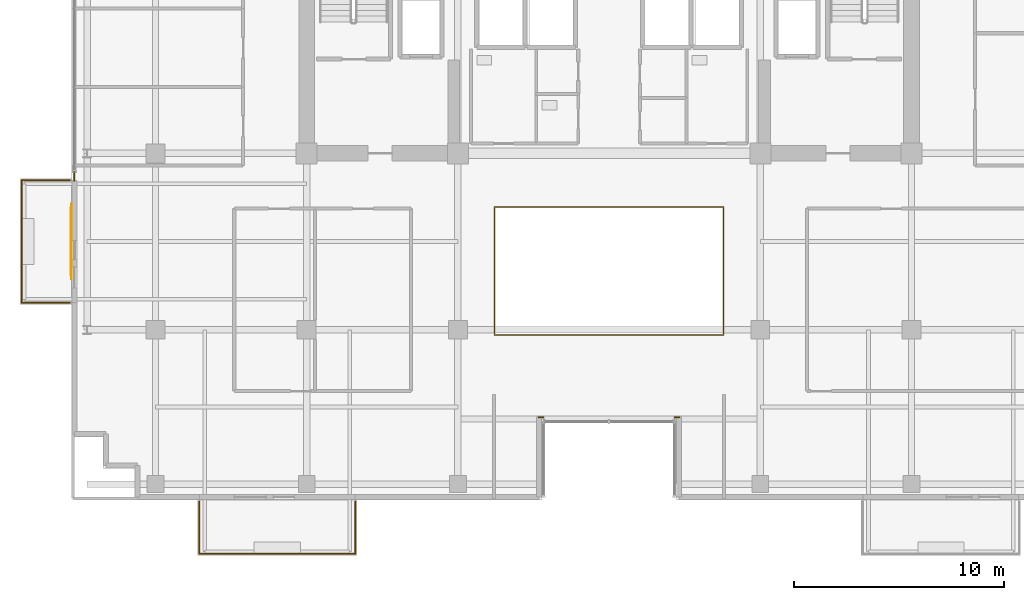
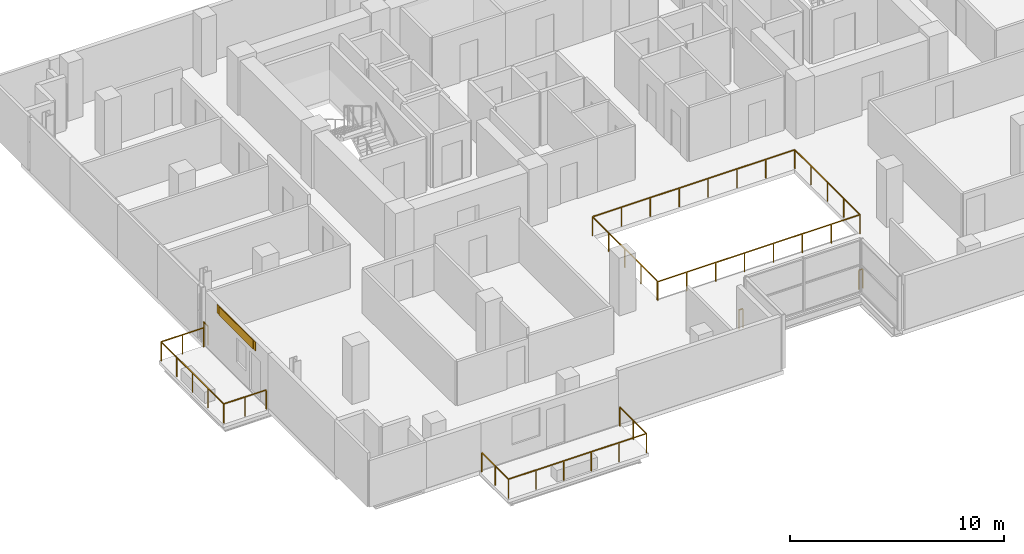
# One storey, part 19 of 23: 6 railings, 1 covering, 1 shading device.
"""IFC4 building model written with IfcOpenShell, lengths in metres."""

from ifc_helpers import new_model, si_unit, direction, frame, origin, origin_2d, place, context, subcontext, project, spatial, rectangle, extrude, source, transform, mapped, material, layer, layer_set, type_object, element, save


model = new_model("IFC4")

# Units and contexts
model_context = context("Model", 3, precision=1e-05, world=origin(), true_north=direction((0.0, 1.0)))
body_context = subcontext(model_context, "Body", "Model", "MODEL_VIEW")
ifc_project = project(units=[si_unit("LENGTHUNIT", "METRE"), si_unit("AREAUNIT", "SQUARE_METRE"), si_unit("VOLUMEUNIT", "CUBIC_METRE"), si_unit("PLANEANGLEUNIT", "RADIAN"), si_unit("MASSUNIT", "GRAM", prefix="KILO")], contexts=[model_context])

# Site, building, storey
site_placement = place(None, origin())
site = spatial("IfcSite", under=ifc_project, at=site_placement, CompositionType="ELEMENT")
building_placement = place(site_placement, origin())
building = spatial("IfcBuilding", under=site, at=building_placement, Name="Zarnakvel Exchange Tower", CompositionType="ELEMENT")
storey_placement = place(building_placement, frame((0.0, 0.0, 116.5)))
storey = spatial("IfcBuildingStorey", under=building, at=storey_placement, Name="L32", CompositionType="ELEMENT", Elevation=116.5)

# Railings
ifc_material_1 = material(Name="Architectural Bronze Anodised Aluminium", Category="aluminium")
railing_type_1 = type_object("IfcRailingType", Name="GR-02", PredefinedType="GUARDRAIL", material=ifc_material_1)
railing_1_placement = place(storey_placement, frame((-19.52001953125, -17.780029296875, -0.034912109375)))
element("IfcRailing", 1, at=railing_1_placement, inside=storey, type_object=railing_type_1, Name="L32 Balcony Guardrail BAL-L32-SW", PredefinedType="GUARDRAIL", context=body_context, shape_type="SweptSolid", body=[
    extrude(rectangle(XDim=0.048095703125, YDim=0.048095703125, at=origin_2d()), frame((0.0, 0.0, 1.09619140625), z_axis=(0.0, -1.0, 0.0), x_axis=(1.0, 0.0, 0.0)), (0.0, 0.0, 1.0), 2.489990234375),
    extrude(rectangle(XDim=0.048095703125, YDim=0.048095703125, at=origin_2d()), frame((0.0, -2.489990234375, 1.09619140625), z_axis=(1.0, 0.0, 0.0), x_axis=(0.0, 1.0, 0.0)), (0.0, 0.0, 1.0), 7.43994140625),
    extrude(rectangle(XDim=0.048095703125, YDim=0.048095703125, at=origin_2d()), frame((7.43994140625, -2.489990234375, 1.09619140625), z_axis=(0.0, 1.0, 0.0), x_axis=(-1.0, 0.0, 0.0)), (0.0, 0.0, 1.0), 2.489990234375),
    extrude(rectangle(XDim=0.0419921875, YDim=0.0419921875, at=origin_2d()), origin(), (0.0, 0.0, 1.0), 1.072021484375),
    extrude(rectangle(XDim=0.0419921875, YDim=0.0419921875, at=origin_2d()), frame((0.0, -1.2451171875, 0.0)), (0.0, 0.0, 1.0), 1.072021484375),
    extrude(rectangle(XDim=0.0419921875, YDim=0.0419921875, at=origin_2d()), frame((0.0, -2.489990234375, 0.0)), (0.0, 0.0, 1.0), 1.072021484375),
    extrude(rectangle(XDim=0.0419921875, YDim=0.0419921875, at=origin_2d()), frame((1.488037109375, -2.489990234375, 0.0)), (0.0, 0.0, 1.0), 1.072021484375),
    extrude(rectangle(XDim=0.0419921875, YDim=0.0419921875, at=origin_2d()), frame((2.97607421875, -2.489990234375, 0.0)), (0.0, 0.0, 1.0), 1.072021484375),
    extrude(rectangle(XDim=0.0419921875, YDim=0.0419921875, at=origin_2d()), frame((4.4638671875, -2.489990234375, 0.0)), (0.0, 0.0, 1.0), 1.072021484375),
    extrude(rectangle(XDim=0.0419921875, YDim=0.0419921875, at=origin_2d()), frame((5.951904296875, -2.489990234375, 0.0)), (0.0, 0.0, 1.0), 1.072021484375),
    extrude(rectangle(XDim=0.0419921875, YDim=0.0419921875, at=origin_2d()), frame((7.43994140625, -2.489990234375, 0.0)), (0.0, 0.0, 1.0), 1.072021484375),
    extrude(rectangle(XDim=0.0419921875, YDim=0.0419921875, at=origin_2d()), frame((7.43994140625, -1.2451171875, 0.0)), (0.0, 0.0, 1.0), 1.072021484375),
    extrude(rectangle(XDim=0.0419921875, YDim=0.0419921875, at=origin_2d()), frame((7.43994140625, 0.0, 0.0)), (0.0, 0.0, 1.0), 1.072021484375),
])
railing_2_placement = place(storey_placement, frame((-25.679931640625, -8.320068359375, -0.034912109375)))
element("IfcRailing", 2, at=railing_2_placement, inside=storey, type_object=railing_type_1, Name="L32 Balcony Guardrail BAL-L32-W", PredefinedType="GUARDRAIL", context=body_context, shape_type="SweptSolid", body=[
    extrude(rectangle(XDim=0.048095703125, YDim=0.048095703125, at=origin_2d()), frame((0.0, 0.0, 1.09619140625), z_axis=(-1.0, 0.0, 0.0), x_axis=(0.0, -1.0, 0.0)), (0.0, 0.0, 1.0), 2.2900390625),
    extrude(rectangle(XDim=0.048095703125, YDim=0.048095703125, at=origin_2d()), frame((-2.2900390625, 0.0, 1.09619140625), z_axis=(0.0, 1.0, 0.0), x_axis=(-1.0, 0.0, 0.0)), (0.0, 0.0, 1.0), 5.840087890625),
    extrude(rectangle(XDim=0.048095703125, YDim=0.048095703125, at=origin_2d()), frame((-2.2900390625, 5.840087890625, 1.09619140625), z_axis=(1.0, 0.0, 0.0), x_axis=(0.0, 1.0, 0.0)), (0.0, 0.0, 1.0), 2.2900390625),
    extrude(rectangle(XDim=0.0419921875, YDim=0.0419921875, at=origin_2d()), origin(), (0.0, 0.0, 1.0), 1.072021484375),
    extrude(rectangle(XDim=0.0419921875, YDim=0.0419921875, at=origin_2d()), frame((-1.14501953125, 0.0, 0.0)), (0.0, 0.0, 1.0), 1.072021484375),
    extrude(rectangle(XDim=0.0419921875, YDim=0.0419921875, at=origin_2d()), frame((-2.2900390625, 0.0, 0.0)), (0.0, 0.0, 1.0), 1.072021484375),
    extrude(rectangle(XDim=0.0419921875, YDim=0.0419921875, at=origin_2d()), frame((-2.2900390625, 1.4599609375, 0.0)), (0.0, 0.0, 1.0), 1.072021484375),
    extrude(rectangle(XDim=0.0419921875, YDim=0.0419921875, at=origin_2d()), frame((-2.2900390625, 2.919921875, 0.0)), (0.0, 0.0, 1.0), 1.072021484375),
    extrude(rectangle(XDim=0.0419921875, YDim=0.0419921875, at=origin_2d()), frame((-2.2900390625, 4.380126953125, 0.0)), (0.0, 0.0, 1.0), 1.072021484375),
    extrude(rectangle(XDim=0.0419921875, YDim=0.0419921875, at=origin_2d()), frame((-2.2900390625, 5.840087890625, 0.0)), (0.0, 0.0, 1.0), 1.072021484375),
    extrude(rectangle(XDim=0.0419921875, YDim=0.0419921875, at=origin_2d()), frame((-1.14501953125, 5.840087890625, 0.0)), (0.0, 0.0, 1.0), 1.072021484375),
    extrude(rectangle(XDim=0.0419921875, YDim=0.0419921875, at=origin_2d()), frame((0.0, 5.840087890625, 0.0)), (0.0, 0.0, 1.0), 1.072021484375),
])
railing_3_placement = place(storey_placement, frame((-25.4599609375, -2.5, 0.0)))
element("IfcRailing", 3, at=railing_3_placement, inside=storey, type_object=railing_type_1, Name="L32 Corner Spandrel Balustrade #2", PredefinedType="GUARDRAIL", context=body_context, shape_type="SweptSolid", body=[
    extrude(rectangle(XDim=0.048095703125, YDim=0.048095703125, at=origin_2d()), frame((0.0, 0.0, 1.09619140625), z_axis=(0.0, 1.0, 0.0), x_axis=(-1.0, 0.0, 0.0)), (0.0, 0.0, 1.0), 0.39990234375),
    extrude(rectangle(XDim=0.0419921875, YDim=0.0419921875, at=origin_2d()), origin(), (0.0, 0.0, 1.0), 1.072021484375),
    extrude(rectangle(XDim=0.0419921875, YDim=0.0419921875, at=origin_2d()), frame((0.0, 0.39990234375, 0.0)), (0.0, 0.0, 1.0), 1.072021484375),
])
for number, where, name in (
    (4, (3.340087890625, -13.760009765625, 0.0), "L32 Corner Spandrel Balustrade #20"),
    (5, (-3.1201171875, -13.760009765625, 0.0), "L32 Corner Spandrel Balustrade #21"),
):
    element("IfcRailing", number, at=place(storey_placement, frame(where)), inside=storey, type_object=railing_type_1, Name=name, PredefinedType="GUARDRAIL", context=body_context, shape_type="SweptSolid", body=[
        extrude(rectangle(XDim=0.048095703125, YDim=0.048095703125, at=origin_2d()), frame((0.0, 0.0, 1.09619140625), z_axis=(-1.0, 0.0, 0.0), x_axis=(0.0, -1.0, 0.0)), (0.0, 0.0, 1.0), 0.219970703125),
        extrude(rectangle(XDim=0.0419921875, YDim=0.0419921875, at=origin_2d()), origin(), (0.0, 0.0, 1.0), 1.072021484375),
        extrude(rectangle(XDim=0.0419921875, YDim=0.0419921875, at=origin_2d()), frame((-0.219970703125, 0.0, 0.0)), (0.0, 0.0, 1.0), 1.072021484375),
    ])
railing_type_2 = type_object("IfcRailingType", Name="GR-03", PredefinedType="GUARDRAIL", material=ifc_material_1)
railing_4_placement = place(storey_placement, frame((-5.449951171875, -9.85009765625, 0.0)))
element("IfcRailing", 6, at=railing_4_placement, inside=storey, type_object=railing_type_2, Name="L32 Atrium Void Perimeter Balustrade", PredefinedType="GUARDRAIL", context=body_context, shape_type="SweptSolid", body=[
    extrude(rectangle(XDim=0.048095703125, YDim=0.048095703125, at=origin_2d()), frame((0.0, 0.0, 1.076171875), z_axis=(1.0, 0.0, 0.0), x_axis=(0.0, 1.0, 0.0)), (0.0, 0.0, 1.0), 10.89990234375),
    extrude(rectangle(XDim=0.048095703125, YDim=0.048095703125, at=origin_2d()), frame((10.89990234375, 0.0, 1.076171875), z_axis=(0.0, 1.0, 0.0), x_axis=(-1.0, 0.0, 0.0)), (0.0, 0.0, 1.0), 6.10009765625),
    extrude(rectangle(XDim=0.048095703125, YDim=0.048095703125, at=origin_2d()), frame((10.89990234375, 6.10009765625, 1.076171875), z_axis=(-1.0, 0.0, 0.0), x_axis=(0.0, -1.0, 0.0)), (0.0, 0.0, 1.0), 10.89990234375),
    extrude(rectangle(XDim=0.048095703125, YDim=0.048095703125, at=origin_2d()), frame((0.0, 6.10009765625, 1.076171875), z_axis=(0.0, -1.0, 0.0), x_axis=(1.0, 0.0, 0.0)), (0.0, 0.0, 1.0), 6.02001953125),
    extrude(rectangle(XDim=0.0419921875, YDim=0.0419921875, at=origin_2d()), origin(), (0.0, 0.0, 1.0), 1.052001953125),
    extrude(rectangle(XDim=0.0419921875, YDim=0.0419921875, at=origin_2d()), frame((1.55712890625, 0.0, 0.0)), (0.0, 0.0, 1.0), 1.052001953125),
    extrude(rectangle(XDim=0.0419921875, YDim=0.0419921875, at=origin_2d()), frame((3.1142578125, 0.0, 0.0)), (0.0, 0.0, 1.0), 1.052001953125),
    extrude(rectangle(XDim=0.0419921875, YDim=0.0419921875, at=origin_2d()), frame((4.67138671875, 0.0, 0.0)), (0.0, 0.0, 1.0), 1.052001953125),
    extrude(rectangle(XDim=0.0419921875, YDim=0.0419921875, at=origin_2d()), frame((6.228515625, 0.0, 0.0)), (0.0, 0.0, 1.0), 1.052001953125),
    extrude(rectangle(XDim=0.0419921875, YDim=0.0419921875, at=origin_2d()), frame((7.78564453125, 0.0, 0.0)), (0.0, 0.0, 1.0), 1.052001953125),
    extrude(rectangle(XDim=0.0419921875, YDim=0.0419921875, at=origin_2d()), frame((9.3427734375, 0.0, 0.0)), (0.0, 0.0, 1.0), 1.052001953125),
    extrude(rectangle(XDim=0.0419921875, YDim=0.0419921875, at=origin_2d()), frame((10.89990234375, 0.0, 0.0)), (0.0, 0.0, 1.0), 1.052001953125),
    extrude(rectangle(XDim=0.0419921875, YDim=0.0419921875, at=origin_2d()), frame((10.89990234375, 1.52490234375, 0.0)), (0.0, 0.0, 1.0), 1.052001953125),
    extrude(rectangle(XDim=0.0419921875, YDim=0.0419921875, at=origin_2d()), frame((10.89990234375, 3.050048828125, 0.0)), (0.0, 0.0, 1.0), 1.052001953125),
    extrude(rectangle(XDim=0.0419921875, YDim=0.0419921875, at=origin_2d()), frame((10.89990234375, 4.5751953125, 0.0)), (0.0, 0.0, 1.0), 1.052001953125),
    extrude(rectangle(XDim=0.0419921875, YDim=0.0419921875, at=origin_2d()), frame((10.89990234375, 6.10009765625, 0.0)), (0.0, 0.0, 1.0), 1.052001953125),
    extrude(rectangle(XDim=0.0419921875, YDim=0.0419921875, at=origin_2d()), frame((9.3427734375, 6.10009765625, 0.0)), (0.0, 0.0, 1.0), 1.052001953125),
    extrude(rectangle(XDim=0.0419921875, YDim=0.0419921875, at=origin_2d()), frame((7.78564453125, 6.10009765625, 0.0)), (0.0, 0.0, 1.0), 1.052001953125),
    extrude(rectangle(XDim=0.0419921875, YDim=0.0419921875, at=origin_2d()), frame((6.228515625, 6.10009765625, 0.0)), (0.0, 0.0, 1.0), 1.052001953125),
    extrude(rectangle(XDim=0.0419921875, YDim=0.0419921875, at=origin_2d()), frame((4.67138671875, 6.10009765625, 0.0)), (0.0, 0.0, 1.0), 1.052001953125),
    extrude(rectangle(XDim=0.0419921875, YDim=0.0419921875, at=origin_2d()), frame((3.1142578125, 6.10009765625, 0.0)), (0.0, 0.0, 1.0), 1.052001953125),
    extrude(rectangle(XDim=0.0419921875, YDim=0.0419921875, at=origin_2d()), frame((1.55712890625, 6.10009765625, 0.0)), (0.0, 0.0, 1.0), 1.052001953125),
    extrude(rectangle(XDim=0.0419921875, YDim=0.0419921875, at=origin_2d()), frame((0.0, 6.10009765625, 0.0)), (0.0, 0.0, 1.0), 1.052001953125),
    extrude(rectangle(XDim=0.0419921875, YDim=0.0419921875, at=origin_2d()), frame((0.0, 4.59521484375, 0.0)), (0.0, 0.0, 1.0), 1.052001953125),
    extrude(rectangle(XDim=0.0419921875, YDim=0.0419921875, at=origin_2d()), frame((0.0, 3.090087890625, 0.0)), (0.0, 0.0, 1.0), 1.052001953125),
    extrude(rectangle(XDim=0.0419921875, YDim=0.0419921875, at=origin_2d()), frame((0.0, 1.5849609375, 0.0)), (0.0, 0.0, 1.0), 1.052001953125),
    extrude(rectangle(XDim=0.0419921875, YDim=0.0419921875, at=origin_2d()), frame((0.0, 0.080078125, 0.0)), (0.0, 0.0, 1.0), 1.052001953125),
])

# Shading device
ifc_material_2 = material(Name="Perforated Architectural Bronze Screen", Category="aluminium")
ifc_layer_1 = layer(ifc_material_2, 0.044921875)
ifc_layer_set_1 = layer_set([ifc_layer_1], Name="Perforated Architectural Bronze Screen")
shading_device_type = type_object("IfcShadingDeviceType", Name="SS-01", PredefinedType="JALOUSIE", material=ifc_layer_set_1)
shared_shape_1 = source(origin(), body_context, "Body", "SweptSolid", [
    extrude(rectangle(XDim=3.199951171875, YDim=0.044921875, at=origin_2d()), origin(), (0.0, 0.0, 1.0), 0.4951171875),
])
shading_device_placement = place(storey_placement, frame((-25.6005859375, -5.39990234375, 2.56005859375), z_axis=(0.0, 0.0, 1.0), x_axis=(0.0, 1.0, 0.0)))
element("IfcShadingDevice", 7, at=shading_device_placement, inside=storey, type_object=shading_device_type, Name="L32 Bronze Solar Shading Screen SS-01", PredefinedType="JALOUSIE", context=body_context, shape_type="MappedRepresentation", body=[
    mapped(shared_shape_1, transform((0.0, 0.0, 0.0), x_axis=(1.0, 0.0, 0.0), y_axis=(0.0, 1.0, 0.0), z_axis=(0.0, 0.0, 1.0), scale=1.0)),
])

# Covering
ifc_material_3 = material(Name="Glazed Turquoise Ceramic Architectural Tile", Category="ceramic")
ifc_layer_2 = layer(ifc_material_3, 0.028076171875)
ifc_layer_set_2 = layer_set([ifc_layer_2], Name="Glazed Turquoise Ceramic Architectural Tile")
covering_type = type_object("IfcCoveringType", Name="CL-01", PredefinedType="CLADDING", material=ifc_layer_set_2)
shared_shape_2 = source(origin(), body_context, "Body", "SweptSolid", [
    extrude(rectangle(XDim=3.60009765625, YDim=0.028076171875, at=origin_2d()), origin(), (0.0, 0.0, 1.0), 0.4951171875),
])
covering_placement = place(storey_placement, frame((-25.592041015625, -5.39990234375, 2.56005859375), z_axis=(0.0, 0.0, 1.0), x_axis=(0.0, 1.0, 0.0)))
element("IfcCovering", 8, at=covering_placement, inside=storey, type_object=covering_type, Name="L32 Ceramic Spandrel Tilework CL-01", PredefinedType="CLADDING", context=body_context, shape_type="MappedRepresentation", body=[
    mapped(shared_shape_2, transform((0.0, 0.0, 0.0), x_axis=(1.0, 0.0, 0.0), y_axis=(0.0, 1.0, 0.0), z_axis=(0.0, 0.0, 1.0), scale=1.0)),
])

save(model, "model.ifc")
